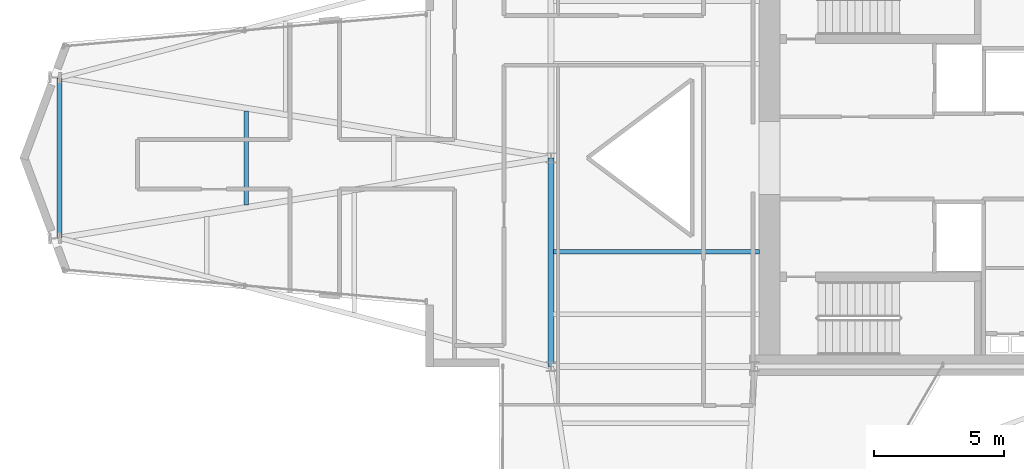
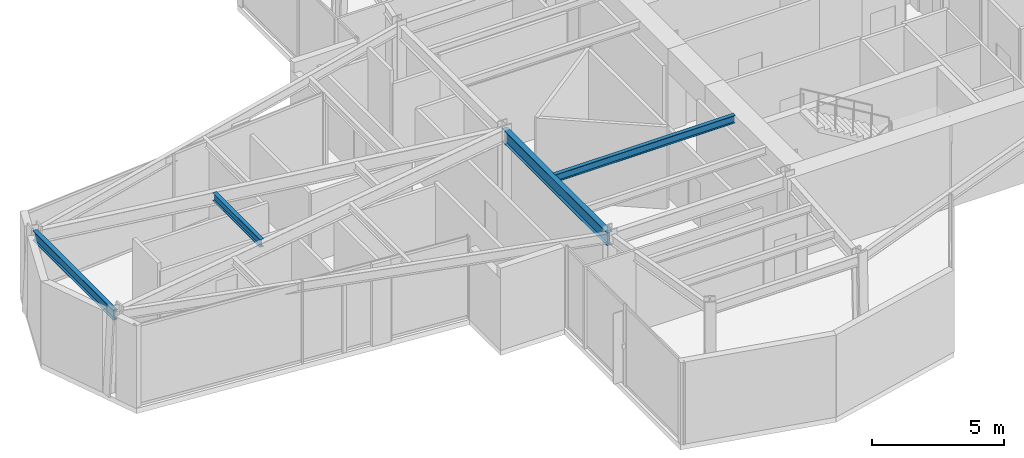
# One storey, part 7 of 25: 4 beams.
"""IFC4 building model written with IfcOpenShell, lengths in metres."""

from ifc_helpers import new_model, si_unit, direction, frame, origin, origin_2d, place, context, subcontext, project, spatial, i_section, extrude, material, material_profile, profile_set, type_object, element, save


model = new_model("IFC4")

# Units and contexts
model_context = context("Model", 3, precision=1e-05, world=origin(), true_north=direction((0.0, 1.0)))
body_context = subcontext(model_context, "Body", "Model", "MODEL_VIEW")
ifc_project = project(units=[si_unit("LENGTHUNIT", "METRE"), si_unit("AREAUNIT", "SQUARE_METRE"), si_unit("VOLUMEUNIT", "CUBIC_METRE"), si_unit("PLANEANGLEUNIT", "RADIAN"), si_unit("MASSUNIT", "GRAM", prefix="KILO")], contexts=[model_context])

# Site, building, storey
site_placement = place(None, origin())
site = spatial("IfcSite", under=ifc_project, at=site_placement, CompositionType="ELEMENT")
building_placement = place(site_placement, origin())
building = spatial("IfcBuilding", under=site, at=building_placement, Name="Veymaron Broadcast Tower", CompositionType="ELEMENT")
storey_placement = place(building_placement, frame((0.0, 0.0, 173.550048828125)))
storey = spatial("IfcBuildingStorey", under=building, at=storey_placement, Name="L40", CompositionType="ELEMENT", Elevation=173.550048828125)

# Beams
ifc_material = material(Name="Structural steel ASTM A992 Gr 50", Category="steel")
ifc_material_profile_1 = material_profile(ifc_material, i_section(OverallWidth=0.22802734375, OverallDepth=0.60791015625, WebThickness=0.01123046875, FlangeThickness=0.017333984375, at=origin_2d()), Name="W610X113")
ifc_profile_set_1 = profile_set([ifc_material_profile_1], Name="Structural steel ASTM A992 Gr 50")
beam_type_1 = type_object("IfcBeamType", Name="BM-FG2", PredefinedType="BEAM", material=ifc_profile_set_1)
beam_1_placement = place(storey_placement, frame((31.199951171875, 16.0, 3.505859375), z_axis=(0.0, 1.0, 0.0), x_axis=(-1.0, 0.0, 0.0)))
element("IfcBeam", 1, at=beam_1_placement, inside=storey, type_object=beam_type_1, Name="L40 primary structural floor girder", PredefinedType="BEAM", context=body_context, shape_type="SweptSolid", body=[
    extrude(i_section(OverallWidth=0.22802734375, OverallDepth=0.60791015625, WebThickness=0.01123046875, FlangeThickness=0.017333984375, at=origin_2d()), origin(), (0.0, 0.0, 1.0), 8.0),
])
ifc_material_profile_2 = material_profile(ifc_material, i_section(OverallWidth=0.1708984375, OverallDepth=0.35498046875, WebThickness=0.007080078125, FlangeThickness=0.01171875, at=origin_2d()), Name="W360X51")
ifc_profile_set_2 = profile_set([ifc_material_profile_2], Name="Structural steel ASTM A992 Gr 50")
beam_type_2 = type_object("IfcBeamType", Name="BM-JS2", PredefinedType="JOIST", material=ifc_profile_set_2)
beam_2_placement = place(storey_placement, frame((19.515380859375, 22.196533203125, 3.632568359375), z_axis=(0.0, 1.0, 0.0), x_axis=(-1.0, 0.0, 0.0)))
element("IfcBeam", 2, at=beam_2_placement, inside=storey, type_object=beam_type_2, Name="L40 Arm-A secondary joist 1M", PredefinedType="JOIST", context=body_context, shape_type="SweptSolid", body=[
    extrude(i_section(OverallWidth=0.1708984375, OverallDepth=0.35498046875, WebThickness=0.007080078125, FlangeThickness=0.01171875, at=origin_2d()), origin(), (0.0, 0.0, 1.0), 3.60693359375),
])
beam_3_placement = place(storey_placement, frame((31.300048828125, 20.39990234375, 3.632568359375), z_axis=(1.0, 0.0, 0.0), x_axis=(0.0, 1.0, 0.0)))
element("IfcBeam", 3, at=beam_3_placement, inside=storey, type_object=beam_type_2, Name="L40 Hub secondary joist 2", PredefinedType="JOIST", context=body_context, shape_type="SweptSolid", body=[
    extrude(i_section(OverallWidth=0.1708984375, OverallDepth=0.35498046875, WebThickness=0.007080078125, FlangeThickness=0.01171875, at=origin_2d()), origin(), (0.0, 0.0, 1.0), 7.89990234375),
])
ifc_material_profile_3 = material_profile(ifc_material, i_section(OverallWidth=0.19091796875, OverallDepth=0.4599609375, WebThickness=0.010009765625, FlangeThickness=0.01611328125, at=origin_2d()), Name="W460X82")
ifc_profile_set_3 = profile_set([ifc_material_profile_3], Name="Structural steel ASTM A992 Gr 50")
beam_type_3 = type_object("IfcBeamType", Name="BM-SP1", PredefinedType="SPANDREL", material=ifc_profile_set_3)
beam_4_placement = place(storey_placement, frame((12.35400390625, 20.929931640625, 3.579833984375), z_axis=(0.0, 1.0, 0.0), x_axis=(-1.0, 0.0, 0.0)))
element("IfcBeam", 4, at=beam_4_placement, inside=storey, type_object=beam_type_3, Name="L40 primary structural floor girder", PredefinedType="SPANDREL", context=body_context, shape_type="SweptSolid", body=[
    extrude(i_section(OverallWidth=0.19091796875, OverallDepth=0.4599609375, WebThickness=0.010009765625, FlangeThickness=0.01611328125, at=origin_2d()), origin(), (0.0, 0.0, 1.0), 6.14013671875),
])

save(model, "model.ifc")
